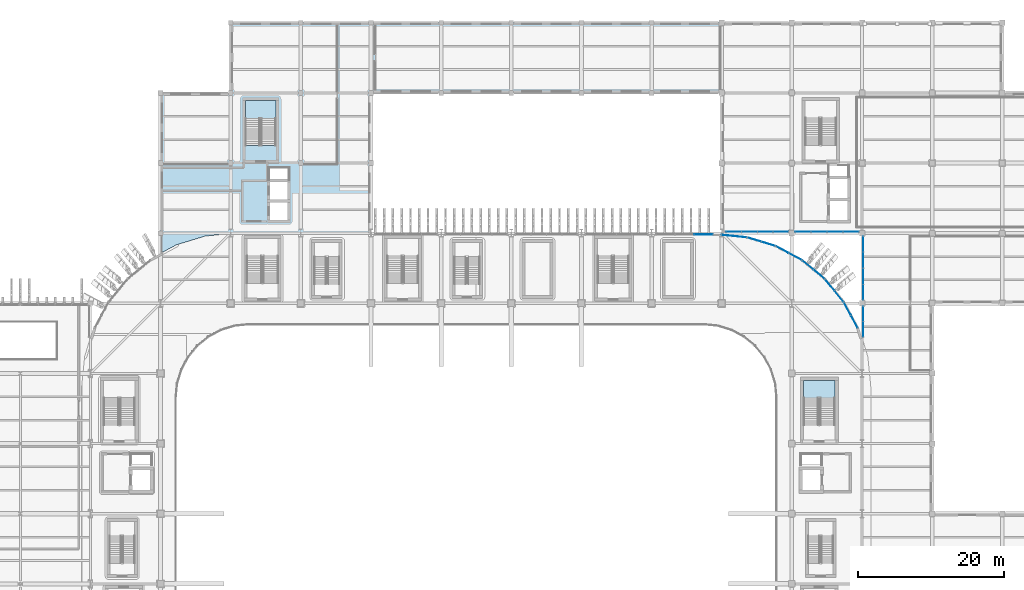
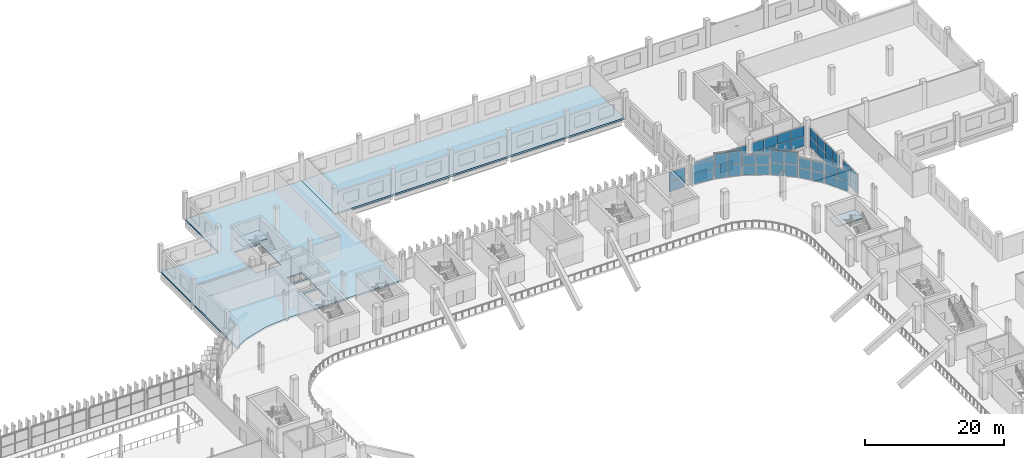
# One storey, part 44 of 100: 52 plates, 4 slabs, 13 elements without a shape of their own.
"""IFC4 building model written with IfcOpenShell, lengths in metres."""

from ifc_helpers import new_model, si_unit, direction, frame, origin, origin_2d, place, context, subcontext, project, spatial, polyline, rectangle, outline, extrude, material, layer, layer_set, type_object, element, aggregate, save


model = new_model("IFC4")

# Units and contexts
model_context = context("Model", 3, precision=1e-05, world=origin(), true_north=direction((0.0, 1.0)))
body_context = subcontext(model_context, "Body", "Model", "MODEL_VIEW")
ifc_project = project(units=[si_unit("LENGTHUNIT", "METRE"), si_unit("AREAUNIT", "SQUARE_METRE"), si_unit("VOLUMEUNIT", "CUBIC_METRE"), si_unit("PLANEANGLEUNIT", "RADIAN"), si_unit("MASSUNIT", "GRAM", prefix="KILO")], contexts=[model_context])

# Site, building, storey
site_placement = place(None, origin())
site = spatial("IfcSite", under=ifc_project, at=site_placement, CompositionType="ELEMENT")
building_placement = place(site_placement, origin())
building = spatial("IfcBuilding", under=site, at=building_placement, Name="Caelomonte Colonnade Arena", CompositionType="ELEMENT")
storey_placement = place(building_placement, origin())
storey = spatial("IfcBuildingStorey", under=building, at=storey_placement, Name="L00", CompositionType="ELEMENT", Elevation=0.0)

# Curtain wall, plates
ifc_material_1 = material(Name="Bronze anodised aluminium and low-E glazing", Category="aluminium")
ifc_layer_1 = layer(ifc_material_1, 0.179931640625)
ifc_layer_set_1 = layer_set([ifc_layer_1], Name="Bronze anodised aluminium and low-E glazing")
curtain_wall_type_1 = type_object("IfcCurtainWallType", Name="ENV-CW-CW-L00-92-36", PredefinedType="USERDEFINED", material=ifc_layer_set_1)
curtain_wall_1_placement = place(storey_placement, origin())
curtain_wall_1 = element("IfcCurtainWall", 1, at=curtain_wall_1_placement, inside=storey, type_object=curtain_wall_type_1, Name="L00 unitized curtain wall CW-L00-1486-1154", ObjectType="UNITIZED CURTAIN WALL", PredefinedType="USERDEFINED")
ifc_material_2 = material(Name="Solar-control bronze low-E double glazing", Category="glass")
ifc_layer_2 = layer(ifc_material_2, 0.028076171875)
ifc_layer_set_2 = layer_set([ifc_layer_2], Name="Solar-control bronze low-E double glazing")
plate_type = type_object("IfcPlateType", Name="ENV-CW-PAN28", PredefinedType="CURTAIN_PANEL", material=ifc_layer_set_2)
plate_1_placement = place(storey_placement, frame((145.641357421875, 115.3798828125, 0.06982421875), z_axis=(0.0, 0.0, 1.0), x_axis=(1.0, 0.0, 0.0)))
plate_1 = element("IfcPlate", 2, at=plate_1_placement, type_object=plate_type, Name="CW-L00-92-36 panel 1.1", PredefinedType="CURTAIN_PANEL", context=body_context, shape_type="SweptSolid", body=[
    extrude(rectangle(XDim=2.06103515625, YDim=0.028076171875, at=origin_2d()), origin(), (0.0, 0.0, 1.0), 1.681396484375),
])
plate_2_placement = place(storey_placement, frame((145.641357421875, 115.3798828125, 1.82177734375), z_axis=(0.0, 0.0, 1.0), x_axis=(1.0, 0.0, 0.0)))
plate_2 = element("IfcPlate", 3, at=plate_2_placement, type_object=plate_type, Name="CW-L00-92-36 panel 1.2", PredefinedType="CURTAIN_PANEL", context=body_context, shape_type="SweptSolid", body=[
    extrude(rectangle(XDim=2.06103515625, YDim=0.028076171875, at=origin_2d()), origin(), (0.0, 0.0, 1.0), 1.681396484375),
])
plate_3_placement = place(storey_placement, frame((147.789794921875, 115.3798828125, 0.06982421875), z_axis=(0.0, 0.0, 1.0), x_axis=(1.0, 0.0, 0.0)))
plate_3 = element("IfcPlate", 4, at=plate_3_placement, type_object=plate_type, Name="CW-L00-92-36 panel 2.1", PredefinedType="CURTAIN_PANEL", context=body_context, shape_type="SweptSolid", body=[
    extrude(rectangle(XDim=2.09619140625, YDim=0.028076171875, at=origin_2d()), origin(), (0.0, 0.0, 1.0), 1.681396484375),
])
plate_4_placement = place(storey_placement, frame((147.789794921875, 115.3798828125, 1.82177734375), z_axis=(0.0, 0.0, 1.0), x_axis=(1.0, 0.0, 0.0)))
plate_4 = element("IfcPlate", 5, at=plate_4_placement, type_object=plate_type, Name="CW-L00-92-36 panel 2.2", PredefinedType="CURTAIN_PANEL", context=body_context, shape_type="SweptSolid", body=[
    extrude(rectangle(XDim=2.09619140625, YDim=0.028076171875, at=origin_2d()), origin(), (0.0, 0.0, 1.0), 1.681396484375),
])
plate_5_placement = place(storey_placement, frame((149.955810546875, 115.3798828125, 0.06982421875), z_axis=(0.0, 0.0, 1.0), x_axis=(1.0, 0.0, 0.0)))
plate_5 = element("IfcPlate", 6, at=plate_5_placement, type_object=plate_type, Name="CW-L00-92-36 panel 3.1", PredefinedType="CURTAIN_PANEL", context=body_context, shape_type="SweptSolid", body=[
    extrude(rectangle(XDim=2.09619140625, YDim=0.028076171875, at=origin_2d()), origin(), (0.0, 0.0, 1.0), 1.681396484375),
])
plate_6_placement = place(storey_placement, frame((149.955810546875, 115.3798828125, 1.82177734375), z_axis=(0.0, 0.0, 1.0), x_axis=(1.0, 0.0, 0.0)))
plate_6 = element("IfcPlate", 7, at=plate_6_placement, type_object=plate_type, Name="CW-L00-92-36 panel 3.2", PredefinedType="CURTAIN_PANEL", context=body_context, shape_type="SweptSolid", body=[
    extrude(rectangle(XDim=2.09619140625, YDim=0.028076171875, at=origin_2d()), origin(), (0.0, 0.0, 1.0), 1.681396484375),
])
plate_7_placement = place(storey_placement, frame((152.1044921875, 115.3798828125, 0.06982421875), z_axis=(0.0, 0.0, 1.0), x_axis=(1.0, 0.0, 0.0)))
plate_7 = element("IfcPlate", 8, at=plate_7_placement, type_object=plate_type, Name="CW-L00-92-36 panel 4.1", PredefinedType="CURTAIN_PANEL", context=body_context, shape_type="SweptSolid", body=[
    extrude(rectangle(XDim=2.06103515625, YDim=0.028076171875, at=origin_2d()), origin(), (0.0, 0.0, 1.0), 1.681396484375),
])
plate_8_placement = place(storey_placement, frame((152.1044921875, 115.3798828125, 1.82177734375), z_axis=(0.0, 0.0, 1.0), x_axis=(1.0, 0.0, 0.0)))
plate_8 = element("IfcPlate", 9, at=plate_8_placement, type_object=plate_type, Name="CW-L00-92-36 panel 4.2", PredefinedType="CURTAIN_PANEL", context=body_context, shape_type="SweptSolid", body=[
    extrude(rectangle(XDim=2.06103515625, YDim=0.028076171875, at=origin_2d()), origin(), (0.0, 0.0, 1.0), 1.681396484375),
])
aggregate(curtain_wall_1, [plate_1, plate_2, plate_3, plate_4, plate_5, plate_6, plate_7, plate_8])

ifc_layer_3 = layer(ifc_material_1, 0.179931640625)
ifc_layer_set_3 = layer_set([ifc_layer_3], Name="Bronze anodised aluminium and low-E glazing")
curtain_wall_type_2 = type_object("IfcCurtainWallType", Name="ENV-CW-CW-L00-89-36", PredefinedType="USERDEFINED", material=ifc_layer_set_3)
curtain_wall_2_placement = place(storey_placement, origin())
curtain_wall_2 = element("IfcCurtainWall", 10, at=curtain_wall_2_placement, inside=storey, type_object=curtain_wall_type_2, Name="L00 unitized curtain wall CW-L00-1584-1154", ObjectType="UNITIZED CURTAIN WALL", PredefinedType="USERDEFINED")
plate_9_placement = place(storey_placement, frame((155.11376953125, 115.3798828125, 0.06982421875), z_axis=(0.0, 0.0, 1.0), x_axis=(1.0, 0.0, 0.0)))
plate_9 = element("IfcPlate", 11, at=plate_9_placement, type_object=plate_type, Name="CW-L00-89-36 panel 1.1", PredefinedType="CURTAIN_PANEL", context=body_context, shape_type="SweptSolid", body=[
    extrude(rectangle(XDim=2.097412109375, YDim=0.028076171875, at=origin_2d()), origin(), (0.0, 0.0, 1.0), 1.681396484375),
])
plate_10_placement = place(storey_placement, frame((155.11376953125, 115.3798828125, 1.82177734375), z_axis=(0.0, 0.0, 1.0), x_axis=(1.0, 0.0, 0.0)))
plate_10 = element("IfcPlate", 12, at=plate_10_placement, type_object=plate_type, Name="CW-L00-89-36 panel 1.2", PredefinedType="CURTAIN_PANEL", context=body_context, shape_type="SweptSolid", body=[
    extrude(rectangle(XDim=2.097412109375, YDim=0.028076171875, at=origin_2d()), origin(), (0.0, 0.0, 1.0), 1.681396484375),
])
plate_11_placement = place(storey_placement, frame((157.298828125, 115.3798828125, 0.06982421875), z_axis=(0.0, 0.0, 1.0), x_axis=(1.0, 0.0, 0.0)))
plate_11 = element("IfcPlate", 13, at=plate_11_placement, type_object=plate_type, Name="CW-L00-89-36 panel 2.1", PredefinedType="CURTAIN_PANEL", context=body_context, shape_type="SweptSolid", body=[
    extrude(rectangle(XDim=2.132568359375, YDim=0.028076171875, at=origin_2d()), origin(), (0.0, 0.0, 1.0), 1.681396484375),
])
plate_12_placement = place(storey_placement, frame((157.298828125, 115.3798828125, 1.82177734375), z_axis=(0.0, 0.0, 1.0), x_axis=(1.0, 0.0, 0.0)))
plate_12 = element("IfcPlate", 14, at=plate_12_placement, type_object=plate_type, Name="CW-L00-89-36 panel 2.2", PredefinedType="CURTAIN_PANEL", context=body_context, shape_type="SweptSolid", body=[
    extrude(rectangle(XDim=2.132568359375, YDim=0.028076171875, at=origin_2d()), origin(), (0.0, 0.0, 1.0), 1.681396484375),
])
plate_13_placement = place(storey_placement, frame((159.501220703125, 115.3798828125, 0.06982421875), z_axis=(0.0, 0.0, 1.0), x_axis=(1.0, 0.0, 0.0)))
plate_13 = element("IfcPlate", 15, at=plate_13_placement, type_object=plate_type, Name="CW-L00-89-36 panel 3.1", PredefinedType="CURTAIN_PANEL", context=body_context, shape_type="SweptSolid", body=[
    extrude(rectangle(XDim=2.132568359375, YDim=0.028076171875, at=origin_2d()), origin(), (0.0, 0.0, 1.0), 1.681396484375),
])
plate_14_placement = place(storey_placement, frame((159.501220703125, 115.3798828125, 1.82177734375), z_axis=(0.0, 0.0, 1.0), x_axis=(1.0, 0.0, 0.0)))
plate_14 = element("IfcPlate", 16, at=plate_14_placement, type_object=plate_type, Name="CW-L00-89-36 panel 3.2", PredefinedType="CURTAIN_PANEL", context=body_context, shape_type="SweptSolid", body=[
    extrude(rectangle(XDim=2.132568359375, YDim=0.028076171875, at=origin_2d()), origin(), (0.0, 0.0, 1.0), 1.681396484375),
])
plate_15_placement = place(storey_placement, frame((161.686279296875, 115.3798828125, 0.06982421875), z_axis=(0.0, 0.0, 1.0), x_axis=(1.0, 0.0, 0.0)))
plate_15 = element("IfcPlate", 17, at=plate_15_placement, type_object=plate_type, Name="CW-L00-89-36 panel 4.1", PredefinedType="CURTAIN_PANEL", context=body_context, shape_type="SweptSolid", body=[
    extrude(rectangle(XDim=2.097412109375, YDim=0.028076171875, at=origin_2d()), origin(), (0.0, 0.0, 1.0), 1.681396484375),
])
plate_16_placement = place(storey_placement, frame((161.686279296875, 115.3798828125, 1.82177734375), z_axis=(0.0, 0.0, 1.0), x_axis=(1.0, 0.0, 0.0)))
plate_16 = element("IfcPlate", 18, at=plate_16_placement, type_object=plate_type, Name="CW-L00-89-36 panel 4.2", PredefinedType="CURTAIN_PANEL", context=body_context, shape_type="SweptSolid", body=[
    extrude(rectangle(XDim=2.097412109375, YDim=0.028076171875, at=origin_2d()), origin(), (0.0, 0.0, 1.0), 1.681396484375),
])
aggregate(curtain_wall_2, [plate_9, plate_10, plate_11, plate_12, plate_13, plate_14, plate_15, plate_16])

curtain_wall_3_placement = place(storey_placement, origin())
curtain_wall_3 = element("IfcCurtainWall", 19, at=curtain_wall_3_placement, inside=storey, type_object=curtain_wall_type_2, Name="L00 unitized curtain wall CW-L00-1634-1104", ObjectType="UNITIZED CURTAIN WALL", PredefinedType="USERDEFINED")
plate_17_placement = place(storey_placement, frame((163.3798828125, 113.686279296875, 0.06982421875), z_axis=(0.0, 0.0, 1.0), x_axis=(0.0, -1.0, 0.0)))
plate_17 = element("IfcPlate", 20, at=plate_17_placement, type_object=plate_type, Name="CW-L00-89-36 panel 1.1", PredefinedType="CURTAIN_PANEL", context=body_context, shape_type="SweptSolid", body=[
    extrude(rectangle(XDim=2.097412109375, YDim=0.028076171875, at=origin_2d()), origin(), (0.0, 0.0, 1.0), 1.681396484375),
])
plate_18_placement = place(storey_placement, frame((163.3798828125, 113.686279296875, 1.82177734375), z_axis=(0.0, 0.0, 1.0), x_axis=(0.0, -1.0, 0.0)))
plate_18 = element("IfcPlate", 21, at=plate_18_placement, type_object=plate_type, Name="CW-L00-89-36 panel 1.2", PredefinedType="CURTAIN_PANEL", context=body_context, shape_type="SweptSolid", body=[
    extrude(rectangle(XDim=2.097412109375, YDim=0.028076171875, at=origin_2d()), origin(), (0.0, 0.0, 1.0), 1.681396484375),
])
plate_19_placement = place(storey_placement, frame((163.3798828125, 111.501220703125, 0.06982421875), z_axis=(0.0, 0.0, 1.0), x_axis=(0.0, -1.0, 0.0)))
plate_19 = element("IfcPlate", 22, at=plate_19_placement, type_object=plate_type, Name="CW-L00-89-36 panel 2.1", PredefinedType="CURTAIN_PANEL", context=body_context, shape_type="SweptSolid", body=[
    extrude(rectangle(XDim=2.132568359375, YDim=0.028076171875, at=origin_2d()), origin(), (0.0, 0.0, 1.0), 1.681396484375),
])
plate_20_placement = place(storey_placement, frame((163.3798828125, 111.501220703125, 1.82177734375), z_axis=(0.0, 0.0, 1.0), x_axis=(0.0, -1.0, 0.0)))
plate_20 = element("IfcPlate", 23, at=plate_20_placement, type_object=plate_type, Name="CW-L00-89-36 panel 2.2", PredefinedType="CURTAIN_PANEL", context=body_context, shape_type="SweptSolid", body=[
    extrude(rectangle(XDim=2.132568359375, YDim=0.028076171875, at=origin_2d()), origin(), (0.0, 0.0, 1.0), 1.681396484375),
])
plate_21_placement = place(storey_placement, frame((163.3798828125, 109.298828125, 0.06982421875), z_axis=(0.0, 0.0, 1.0), x_axis=(0.0, -1.0, 0.0)))
plate_21 = element("IfcPlate", 24, at=plate_21_placement, type_object=plate_type, Name="CW-L00-89-36 panel 3.1", PredefinedType="CURTAIN_PANEL", context=body_context, shape_type="SweptSolid", body=[
    extrude(rectangle(XDim=2.132568359375, YDim=0.028076171875, at=origin_2d()), origin(), (0.0, 0.0, 1.0), 1.681396484375),
])
plate_22_placement = place(storey_placement, frame((163.3798828125, 109.298828125, 1.82177734375), z_axis=(0.0, 0.0, 1.0), x_axis=(0.0, -1.0, 0.0)))
plate_22 = element("IfcPlate", 25, at=plate_22_placement, type_object=plate_type, Name="CW-L00-89-36 panel 3.2", PredefinedType="CURTAIN_PANEL", context=body_context, shape_type="SweptSolid", body=[
    extrude(rectangle(XDim=2.132568359375, YDim=0.028076171875, at=origin_2d()), origin(), (0.0, 0.0, 1.0), 1.681396484375),
])
plate_23_placement = place(storey_placement, frame((163.3798828125, 107.11376953125, 0.06982421875), z_axis=(0.0, 0.0, 1.0), x_axis=(0.0, -1.0, 0.0)))
plate_23 = element("IfcPlate", 26, at=plate_23_placement, type_object=plate_type, Name="CW-L00-89-36 panel 4.1", PredefinedType="CURTAIN_PANEL", context=body_context, shape_type="SweptSolid", body=[
    extrude(rectangle(XDim=2.097412109375, YDim=0.028076171875, at=origin_2d()), origin(), (0.0, 0.0, 1.0), 1.681396484375),
])
plate_24_placement = place(storey_placement, frame((163.3798828125, 107.11376953125, 1.82177734375), z_axis=(0.0, 0.0, 1.0), x_axis=(0.0, -1.0, 0.0)))
plate_24 = element("IfcPlate", 27, at=plate_24_placement, type_object=plate_type, Name="CW-L00-89-36 panel 4.2", PredefinedType="CURTAIN_PANEL", context=body_context, shape_type="SweptSolid", body=[
    extrude(rectangle(XDim=2.097412109375, YDim=0.028076171875, at=origin_2d()), origin(), (0.0, 0.0, 1.0), 1.681396484375),
])
aggregate(curtain_wall_3, [plate_17, plate_18, plate_19, plate_20, plate_21, plate_22, plate_23, plate_24])

ifc_layer_4 = layer(ifc_material_1, 0.179931640625)
ifc_layer_set_4 = layer_set([ifc_layer_4], Name="Bronze anodised aluminium and low-E glazing")
curtain_wall_type_3 = type_object("IfcCurtainWallType", Name="ENV-CW-CW-L00-44-36", PredefinedType="USERDEFINED", material=ifc_layer_set_4)
curtain_wall_4_placement = place(storey_placement, origin())
curtain_wall_4 = element("IfcCurtainWall", 28, at=curtain_wall_4_placement, inside=storey, type_object=curtain_wall_type_3, Name="L00 unitized curtain wall CW-L00-1634-1030", ObjectType="UNITIZED CURTAIN WALL", PredefinedType="USERDEFINED")
plate_25_placement = place(storey_placement, frame((163.3798828125, 104.12744140625, 0.06982421875), z_axis=(0.0, 0.0, 1.0), x_axis=(0.0, -1.0, 0.0)))
plate_25 = element("IfcPlate", 29, at=plate_25_placement, type_object=plate_type, Name="CW-L00-44-36 panel 1.1", PredefinedType="CURTAIN_PANEL", context=body_context, shape_type="SweptSolid", body=[
    extrude(rectangle(XDim=2.01513671875, YDim=0.028076171875, at=origin_2d()), origin(), (0.0, 0.0, 1.0), 1.681396484375),
])
plate_26_placement = place(storey_placement, frame((163.3798828125, 104.12744140625, 1.82177734375), z_axis=(0.0, 0.0, 1.0), x_axis=(0.0, -1.0, 0.0)))
plate_26 = element("IfcPlate", 30, at=plate_26_placement, type_object=plate_type, Name="CW-L00-44-36 panel 1.2", PredefinedType="CURTAIN_PANEL", context=body_context, shape_type="SweptSolid", body=[
    extrude(rectangle(XDim=2.01513671875, YDim=0.028076171875, at=origin_2d()), origin(), (0.0, 0.0, 1.0), 1.681396484375),
])
plate_27_placement = place(storey_placement, frame((163.3798828125, 102.042236328125, 0.06982421875), z_axis=(0.0, 0.0, 1.0), x_axis=(0.0, -1.0, 0.0)))
plate_27 = element("IfcPlate", 31, at=plate_27_placement, type_object=plate_type, Name="CW-L00-44-36 panel 2.1", PredefinedType="CURTAIN_PANEL", context=body_context, shape_type="SweptSolid", body=[
    extrude(rectangle(XDim=2.01513671875, YDim=0.028076171875, at=origin_2d()), origin(), (0.0, 0.0, 1.0), 1.681396484375),
])
plate_28_placement = place(storey_placement, frame((163.3798828125, 102.042236328125, 1.82177734375), z_axis=(0.0, 0.0, 1.0), x_axis=(0.0, -1.0, 0.0)))
plate_28 = element("IfcPlate", 32, at=plate_28_placement, type_object=plate_type, Name="CW-L00-44-36 panel 2.2", PredefinedType="CURTAIN_PANEL", context=body_context, shape_type="SweptSolid", body=[
    extrude(rectangle(XDim=2.01513671875, YDim=0.028076171875, at=origin_2d()), origin(), (0.0, 0.0, 1.0), 1.681396484375),
])
aggregate(curtain_wall_4, [plate_25, plate_26, plate_27, plate_28])

ifc_layer_5 = layer(ifc_material_1, 0.179931640625)
ifc_layer_set_5 = layer_set([ifc_layer_5], Name="Bronze anodised aluminium and low-E glazing")
curtain_wall_type_4 = type_object("IfcCurtainWallType", Name="ENV-CW-CW-L00-44-37", PredefinedType="USERDEFINED", material=ifc_layer_set_5)
curtain_wall_5_placement = place(storey_placement, origin())
curtain_wall_5 = element("IfcCurtainWall", 33, at=curtain_wall_5_placement, inside=storey, type_object=curtain_wall_type_4, Name="L00 unitized curtain wall CW-L00-1617-1040", ObjectType="UNITIZED CURTAIN WALL", PredefinedType="USERDEFINED")
plate_29_placement = place(storey_placement, frame((162.139892578125, 103.09228515625, 0.06982421875), z_axis=(0.0, 0.0, 1.0), x_axis=(-0.471394212466, 0.881922613642, 0.0)))
plate_29 = element("IfcPlate", 34, at=plate_29_placement, type_object=plate_type, Name="CW-L00-44-37 panel 1.1", PredefinedType="CURTAIN_PANEL", context=body_context, shape_type="SweptSolid", body=[
    extrude(rectangle(XDim=1.913330078125, YDim=0.028076171875, at=origin_2d()), origin(), (0.0, 0.0, 1.0), 1.727294921875),
])
plate_30_placement = place(storey_placement, frame((162.139892578125, 103.09228515625, 1.8671875), z_axis=(0.0, 0.0, 1.0), x_axis=(-0.471394212466, 0.881922613642, 0.0)))
plate_30 = element("IfcPlate", 35, at=plate_30_placement, type_object=plate_type, Name="CW-L00-44-37 panel 1.2", PredefinedType="CURTAIN_PANEL", context=body_context, shape_type="SweptSolid", body=[
    extrude(rectangle(XDim=1.913330078125, YDim=0.028076171875, at=origin_2d()), origin(), (0.0, 0.0, 1.0), 1.727294921875),
])
plate_31_placement = place(storey_placement, frame((161.205078125, 104.841552734375, 0.06982421875), z_axis=(0.0, 0.0, 1.0), x_axis=(-0.471394212466, 0.881922613642, 0.0)))
plate_31 = element("IfcPlate", 36, at=plate_31_placement, type_object=plate_type, Name="CW-L00-44-37 panel 2.1", PredefinedType="CURTAIN_PANEL", context=body_context, shape_type="SweptSolid", body=[
    extrude(rectangle(XDim=1.913330078125, YDim=0.028076171875, at=origin_2d()), origin(), (0.0, 0.0, 1.0), 1.727294921875),
])
plate_32_placement = place(storey_placement, frame((161.205078125, 104.841552734375, 1.8671875), z_axis=(0.0, 0.0, 1.0), x_axis=(-0.471394212466, 0.881922613642, 0.0)))
plate_32 = element("IfcPlate", 37, at=plate_32_placement, type_object=plate_type, Name="CW-L00-44-37 panel 2.2", PredefinedType="CURTAIN_PANEL", context=body_context, shape_type="SweptSolid", body=[
    extrude(rectangle(XDim=1.913330078125, YDim=0.028076171875, at=origin_2d()), origin(), (0.0, 0.0, 1.0), 1.727294921875),
])
aggregate(curtain_wall_5, [plate_29, plate_30, plate_31, plate_32])

curtain_wall_6_placement = place(storey_placement, origin())
curtain_wall_6 = element("IfcCurtainWall", 38, at=curtain_wall_6_placement, inside=storey, type_object=curtain_wall_type_4, Name="L00 unitized curtain wall CW-L00-1594-1073", ObjectType="UNITIZED CURTAIN WALL", PredefinedType="USERDEFINED")
plate_33_placement = place(storey_placement, frame((160.045166015625, 106.577392578125, 0.06982421875), z_axis=(0.0, 0.0, 1.0), x_axis=(-0.634416071163, 0.772991751994, 0.0)))
plate_33 = element("IfcPlate", 39, at=plate_33_placement, type_object=plate_type, Name="CW-L00-44-37 panel 1.1", PredefinedType="CURTAIN_PANEL", context=body_context, shape_type="SweptSolid", body=[
    extrude(rectangle(XDim=1.913330078125, YDim=0.028076171875, at=origin_2d()), origin(), (0.0, 0.0, 1.0), 1.727294921875),
])
plate_34_placement = place(storey_placement, frame((160.045166015625, 106.577392578125, 1.8671875), z_axis=(0.0, 0.0, 1.0), x_axis=(-0.634416071163, 0.772991751994, 0.0)))
plate_34 = element("IfcPlate", 40, at=plate_34_placement, type_object=plate_type, Name="CW-L00-44-37 panel 1.2", PredefinedType="CURTAIN_PANEL", context=body_context, shape_type="SweptSolid", body=[
    extrude(rectangle(XDim=1.913330078125, YDim=0.028076171875, at=origin_2d()), origin(), (0.0, 0.0, 1.0), 1.727294921875),
])
plate_35_placement = place(storey_placement, frame((158.786865234375, 108.1103515625, 0.06982421875), z_axis=(0.0, 0.0, 1.0), x_axis=(-0.634416071163, 0.772991751994, 0.0)))
plate_35 = element("IfcPlate", 41, at=plate_35_placement, type_object=plate_type, Name="CW-L00-44-37 panel 2.1", PredefinedType="CURTAIN_PANEL", context=body_context, shape_type="SweptSolid", body=[
    extrude(rectangle(XDim=1.913330078125, YDim=0.028076171875, at=origin_2d()), origin(), (0.0, 0.0, 1.0), 1.727294921875),
])
plate_36_placement = place(storey_placement, frame((158.786865234375, 108.1103515625, 1.8671875), z_axis=(0.0, 0.0, 1.0), x_axis=(-0.634416071163, 0.772991751994, 0.0)))
plate_36 = element("IfcPlate", 42, at=plate_36_placement, type_object=plate_type, Name="CW-L00-44-37 panel 2.2", PredefinedType="CURTAIN_PANEL", context=body_context, shape_type="SweptSolid", body=[
    extrude(rectangle(XDim=1.913330078125, YDim=0.028076171875, at=origin_2d()), origin(), (0.0, 0.0, 1.0), 1.727294921875),
])
aggregate(curtain_wall_6, [plate_33, plate_34, plate_35, plate_36])

ifc_layer_6 = layer(ifc_material_1, 0.179931640625)
ifc_layer_set_6 = layer_set([ifc_layer_6], Name="Bronze anodised aluminium and low-E glazing")
curtain_wall_type_5 = type_object("IfcCurtainWallType", Name="ENV-CW-CW-L00-44-45", PredefinedType="USERDEFINED", material=ifc_layer_set_6)
curtain_wall_7_placement = place(storey_placement, origin())
curtain_wall_7 = element("IfcCurtainWall", 43, at=curtain_wall_7_placement, inside=storey, type_object=curtain_wall_type_5, Name="L00 unitized curtain wall CW-L00-1565-1102", ObjectType="UNITIZED CURTAIN WALL", PredefinedType="USERDEFINED")
plate_37_placement = place(storey_placement, frame((157.310546875, 109.586669921875, 0.070068359375), z_axis=(0.0, 0.0, 1.0), x_axis=(-0.772991751994, 0.634416071163, 0.0)))
plate_37 = element("IfcPlate", 44, at=plate_37_placement, type_object=plate_type, Name="CW-L00-44-45 panel 1.1", PredefinedType="CURTAIN_PANEL", context=body_context, shape_type="SweptSolid", body=[
    extrude(rectangle(XDim=1.913330078125, YDim=0.028076171875, at=origin_2d()), origin(), (0.0, 0.0, 1.0), 2.14501953125),
])
plate_38_placement = place(storey_placement, frame((157.310546875, 109.586669921875, 2.284912109375), z_axis=(0.0, 0.0, 1.0), x_axis=(-0.772991751994, 0.634416071163, 0.0)))
plate_38 = element("IfcPlate", 45, at=plate_38_placement, type_object=plate_type, Name="CW-L00-44-45 panel 1.2", PredefinedType="CURTAIN_PANEL", context=body_context, shape_type="SweptSolid", body=[
    extrude(rectangle(XDim=1.913330078125, YDim=0.028076171875, at=origin_2d()), origin(), (0.0, 0.0, 1.0), 2.14501953125),
])
plate_39_placement = place(storey_placement, frame((155.77734375, 110.844970703125, 0.070068359375), z_axis=(0.0, 0.0, 1.0), x_axis=(-0.772991751994, 0.634416071163, 0.0)))
plate_39 = element("IfcPlate", 46, at=plate_39_placement, type_object=plate_type, Name="CW-L00-44-45 panel 2.1", PredefinedType="CURTAIN_PANEL", context=body_context, shape_type="SweptSolid", body=[
    extrude(rectangle(XDim=1.913330078125, YDim=0.028076171875, at=origin_2d()), origin(), (0.0, 0.0, 1.0), 2.14501953125),
])
plate_40_placement = place(storey_placement, frame((155.77734375, 110.844970703125, 2.284912109375), z_axis=(0.0, 0.0, 1.0), x_axis=(-0.772991751994, 0.634416071163, 0.0)))
plate_40 = element("IfcPlate", 47, at=plate_40_placement, type_object=plate_type, Name="CW-L00-44-45 panel 2.2", PredefinedType="CURTAIN_PANEL", context=body_context, shape_type="SweptSolid", body=[
    extrude(rectangle(XDim=1.913330078125, YDim=0.028076171875, at=origin_2d()), origin(), (0.0, 0.0, 1.0), 2.14501953125),
])
aggregate(curtain_wall_7, [plate_37, plate_38, plate_39, plate_40])

curtain_wall_8_placement = place(storey_placement, origin())
curtain_wall_8 = element("IfcCurtainWall", 48, at=curtain_wall_8_placement, inside=storey, type_object=curtain_wall_type_4, Name="L00 unitized curtain wall CW-L00-1532-1125", ObjectType="UNITIZED CURTAIN WALL", PredefinedType="USERDEFINED")
plate_41_placement = place(storey_placement, frame((154.04150390625, 112.0048828125, 0.06982421875), z_axis=(0.0, 0.0, 1.0), x_axis=(-0.881922613642, 0.471394212466, 0.0)))
plate_41 = element("IfcPlate", 49, at=plate_41_placement, type_object=plate_type, Name="CW-L00-44-37 panel 1.1", PredefinedType="CURTAIN_PANEL", context=body_context, shape_type="SweptSolid", body=[
    extrude(rectangle(XDim=1.913330078125, YDim=0.028076171875, at=origin_2d()), origin(), (0.0, 0.0, 1.0), 1.7451171875),
])
plate_42_placement = place(storey_placement, frame((154.04150390625, 112.0048828125, 1.885009765625), z_axis=(0.0, 0.0, 1.0), x_axis=(-0.881922613642, 0.471394212466, 0.0)))
plate_42 = element("IfcPlate", 50, at=plate_42_placement, type_object=plate_type, Name="CW-L00-44-37 panel 1.2", PredefinedType="CURTAIN_PANEL", context=body_context, shape_type="SweptSolid", body=[
    extrude(rectangle(XDim=1.913330078125, YDim=0.028076171875, at=origin_2d()), origin(), (0.0, 0.0, 1.0), 1.7451171875),
])
plate_43_placement = place(storey_placement, frame((152.292236328125, 112.93994140625, 0.06982421875), z_axis=(0.0, 0.0, 1.0), x_axis=(-0.881922613642, 0.471394212466, 0.0)))
plate_43 = element("IfcPlate", 51, at=plate_43_placement, type_object=plate_type, Name="CW-L00-44-37 panel 2.1", PredefinedType="CURTAIN_PANEL", context=body_context, shape_type="SweptSolid", body=[
    extrude(rectangle(XDim=1.913330078125, YDim=0.028076171875, at=origin_2d()), origin(), (0.0, 0.0, 1.0), 1.7451171875),
])
plate_44_placement = place(storey_placement, frame((152.292236328125, 112.93994140625, 1.885009765625), z_axis=(0.0, 0.0, 1.0), x_axis=(-0.881922613642, 0.471394212466, 0.0)))
plate_44 = element("IfcPlate", 52, at=plate_44_placement, type_object=plate_type, Name="CW-L00-44-37 panel 2.2", PredefinedType="CURTAIN_PANEL", context=body_context, shape_type="SweptSolid", body=[
    extrude(rectangle(XDim=1.913330078125, YDim=0.028076171875, at=origin_2d()), origin(), (0.0, 0.0, 1.0), 1.7451171875),
])
aggregate(curtain_wall_8, [plate_41, plate_42, plate_43, plate_44])

curtain_wall_9_placement = place(storey_placement, origin())
curtain_wall_9 = element("IfcCurtainWall", 53, at=curtain_wall_9_placement, inside=storey, type_object=curtain_wall_type_5, Name="L00 unitized curtain wall CW-L00-1494-1140", ObjectType="UNITIZED CURTAIN WALL", PredefinedType="USERDEFINED")
plate_45_placement = place(storey_placement, frame((150.36328125, 113.739013671875, 0.070068359375), z_axis=(0.0, 0.0, 1.0), x_axis=(-0.956949160999, 0.290255582655, 0.0)))
plate_45 = element("IfcPlate", 54, at=plate_45_placement, type_object=plate_type, Name="CW-L00-44-45 panel 1.1", PredefinedType="CURTAIN_PANEL", context=body_context, shape_type="SweptSolid", body=[
    extrude(rectangle(XDim=1.913330078125, YDim=0.028076171875, at=origin_2d()), origin(), (0.0, 0.0, 1.0), 2.14501953125),
])
plate_46_placement = place(storey_placement, frame((150.36328125, 113.739013671875, 2.284912109375), z_axis=(0.0, 0.0, 1.0), x_axis=(-0.956949160999, 0.290255582655, 0.0)))
plate_46 = element("IfcPlate", 55, at=plate_46_placement, type_object=plate_type, Name="CW-L00-44-45 panel 1.2", PredefinedType="CURTAIN_PANEL", context=body_context, shape_type="SweptSolid", body=[
    extrude(rectangle(XDim=1.913330078125, YDim=0.028076171875, at=origin_2d()), origin(), (0.0, 0.0, 1.0), 2.14501953125),
])
plate_47_placement = place(storey_placement, frame((148.46533203125, 114.314697265625, 0.070068359375), z_axis=(0.0, 0.0, 1.0), x_axis=(-0.956949160999, 0.290255582655, 0.0)))
plate_47 = element("IfcPlate", 56, at=plate_47_placement, type_object=plate_type, Name="CW-L00-44-45 panel 2.1", PredefinedType="CURTAIN_PANEL", context=body_context, shape_type="SweptSolid", body=[
    extrude(rectangle(XDim=1.913330078125, YDim=0.028076171875, at=origin_2d()), origin(), (0.0, 0.0, 1.0), 2.14501953125),
])
plate_48_placement = place(storey_placement, frame((148.46533203125, 114.314697265625, 2.284912109375), z_axis=(0.0, 0.0, 1.0), x_axis=(-0.956949160999, 0.290255582655, 0.0)))
plate_48 = element("IfcPlate", 57, at=plate_48_placement, type_object=plate_type, Name="CW-L00-44-45 panel 2.2", PredefinedType="CURTAIN_PANEL", context=body_context, shape_type="SweptSolid", body=[
    extrude(rectangle(XDim=1.913330078125, YDim=0.028076171875, at=origin_2d()), origin(), (0.0, 0.0, 1.0), 2.14501953125),
])
aggregate(curtain_wall_9, [plate_45, plate_46, plate_47, plate_48])

ifc_layer_7 = layer(ifc_material_1, 0.179931640625)
ifc_layer_set_7 = layer_set([ifc_layer_7], Name="Bronze anodised aluminium and low-E glazing")
curtain_wall_type_6 = type_object("IfcCurtainWallType", Name="ENV-CW-CW-L00-42-36", PredefinedType="USERDEFINED", material=ifc_layer_set_7)
curtain_wall_10_placement = place(storey_placement, origin())
curtain_wall_10 = element("IfcCurtainWall", 58, at=curtain_wall_10_placement, inside=storey, type_object=curtain_wall_type_6, Name="L00 unitized curtain wall CW-L00-1455-1148", ObjectType="UNITIZED CURTAIN WALL", PredefinedType="USERDEFINED")
plate_49_placement = place(storey_placement, frame((145.679931640625, 114.794677734375, 0.06982421875), z_axis=(0.0, 0.0, 1.0), x_axis=(-0.995184213442, 0.098022351103, 0.0)))
plate_49 = element("IfcPlate", 59, at=plate_49_placement, type_object=plate_type, Name="CW-L00-42-36 panel 1.1", PredefinedType="CURTAIN_PANEL", context=body_context, shape_type="SweptSolid", body=[
    extrude(rectangle(XDim=3.39599609375, YDim=0.028076171875, at=origin_2d()), origin(), (0.0, 0.0, 1.0), 1.681396484375),
])
plate_50_placement = place(storey_placement, frame((145.679931640625, 114.794677734375, 1.82177734375), z_axis=(0.0, 0.0, 1.0), x_axis=(-0.995184213442, 0.098022351103, 0.0)))
plate_50 = element("IfcPlate", 60, at=plate_50_placement, type_object=plate_type, Name="CW-L00-42-36 panel 1.2", PredefinedType="CURTAIN_PANEL", context=body_context, shape_type="SweptSolid", body=[
    extrude(rectangle(XDim=3.39599609375, YDim=0.028076171875, at=origin_2d()), origin(), (0.0, 0.0, 1.0), 1.681396484375),
])
aggregate(curtain_wall_10, [plate_49, plate_50])

ifc_layer_8 = layer(ifc_material_1, 0.179931640625)
ifc_layer_set_8 = layer_set([ifc_layer_8], Name="Bronze anodised aluminium and low-E glazing")
curtain_wall_type_7 = type_object("IfcCurtainWallType", Name="ENV-CW-CW-L00-90-36", PredefinedType="USERDEFINED", material=ifc_layer_set_8)
curtain_wall_11_placement = place(storey_placement, origin())
curtain_wall_11 = element("IfcCurtainWall", 61, at=curtain_wall_11_placement, inside=storey, type_object=curtain_wall_type_7, Name="L00 unitized curtain wall CW-L00-1389-1150", ObjectType="UNITIZED CURTAIN WALL", PredefinedType="USERDEFINED")
plate_51_placement = place(storey_placement, frame((141.52197265625, 115.02001953125, 0.06982421875), z_axis=(0.0, 0.0, 1.0), x_axis=(-1.0, 0.0, 0.0)))
plate_51 = element("IfcPlate", 62, at=plate_51_placement, type_object=plate_type, Name="CW-L00-90-36 panel 1.1", PredefinedType="CURTAIN_PANEL", context=body_context, shape_type="SweptSolid", body=[
    extrude(rectangle(XDim=2.534423828125, YDim=0.028076171875, at=origin_2d()), origin(), (0.0, 0.0, 1.0), 1.681396484375),
])
plate_52_placement = place(storey_placement, frame((141.52197265625, 115.02001953125, 1.82177734375), z_axis=(0.0, 0.0, 1.0), x_axis=(-1.0, 0.0, 0.0)))
plate_52 = element("IfcPlate", 63, at=plate_52_placement, type_object=plate_type, Name="CW-L00-90-36 panel 1.2", PredefinedType="CURTAIN_PANEL", context=body_context, shape_type="SweptSolid", body=[
    extrude(rectangle(XDim=2.534423828125, YDim=0.028076171875, at=origin_2d()), origin(), (0.0, 0.0, 1.0), 1.681396484375),
])
aggregate(curtain_wall_11, [plate_51, plate_52])

# Stair, slab
ifc_material_3 = material(Name="Concrete C40/50", Category="concrete")
stair_type = type_object("IfcStairType", Name="INT-ST-WING48", PredefinedType="HALF_TURN_STAIR", material=ifc_material_3)
stair_1_placement = place(storey_placement, origin())
stair_1 = element("IfcStair", 64, at=stair_1_placement, inside=storey, type_object=stair_type, Name="L00 Core C3 exit stair ST-03", PredefinedType="HALF_TURN_STAIR")
ifc_layer_9 = layer(ifc_material_3, 0.199951171875)
ifc_layer_set_9 = layer_set([ifc_layer_9], Name="Concrete C40/50")
slab_type_1 = type_object("IfcSlabType", Name="INT-SL-LAND20", PredefinedType="LANDING", material=ifc_layer_set_9)
slab_1_placement = place(storey_placement, frame((0.0, 0.0, 2.199951171875)))
slab_1 = element("IfcSlab", 65, at=slab_1_placement, type_object=slab_type_1, Name="ST-03 landing 1", PredefinedType="LANDING", context=body_context, shape_type="SweptSolid", body=[
    extrude(outline(polyline([(159.5, 92.655029296875), (159.5, 95.050048828125), (155.199951171875, 95.050048828125), (155.199951171875, 92.655029296875), (159.5, 92.655029296875)])), origin(), (0.0, 0.0, 1.0), 0.199951171875),
])
aggregate(stair_1, [slab_1])

stair_2_placement = place(storey_placement, origin())
stair_2 = element("IfcStair", 66, at=stair_2_placement, inside=storey, type_object=stair_type, Name="L00 Core C7 exit stair ST-07", PredefinedType="HALF_TURN_STAIR")
slab_2_placement = place(storey_placement, frame((0.0, 0.0, 2.199951171875)))
slab_2 = element("IfcSlab", 67, at=slab_2_placement, type_object=slab_type_1, Name="ST-07 landing 1", PredefinedType="LANDING", context=body_context, shape_type="SweptSolid", body=[
    extrude(outline(polyline([(83.0, 130.905029296875), (83.0, 133.35009765625), (78.800048828125, 133.35009765625), (78.800048828125, 130.905029296875), (83.0, 130.905029296875)])), origin(), (0.0, 0.0, 1.0), 0.199951171875),
])
aggregate(stair_2, [slab_2])

# Slabs
ifc_layer_10 = layer(ifc_material_3, 0.300048828125)
ifc_layer_set_10 = layer_set([ifc_layer_10], Name="Concrete C40/50")
slab_type_2 = type_object("IfcSlabType", Name="STR-SL-FLR30", PredefinedType="FLOOR", material=ifc_layer_set_10)
slab_3_placement = place(storey_placement, frame((0.0, 0.0, -0.300048828125)))
element("IfcSlab", 68, at=slab_3_placement, inside=storey, type_object=slab_type_2, Name="L00 structural floor slab SL-L00-V4-NW", PredefinedType="FLOOR", context=body_context, shape_type="SweptSolid", body=[
    extrude(outline(polyline([(96.0, 115.199951171875), (96.0, 144.0), (76.800048828125, 144.0), (76.800048828125, 134.39990234375), (67.199951171875, 134.39990234375), (67.199951171875, 112.445068359375), (69.363525390625, 113.6015625), (73.302978515625, 114.79638671875), (77.39990234375, 115.199951171875), (96.0, 115.199951171875)]), holes=[polyline([(82.179931640625, 116.97998046875), (82.179931640625, 119.419921875), (84.6201171875, 119.419921875), (84.6201171875, 116.97998046875), (82.179931640625, 116.97998046875)]), polyline([(82.179931640625, 122.219970703125), (84.6201171875, 122.219970703125), (84.6201171875, 119.780029296875), (82.179931640625, 119.780029296875), (82.179931640625, 122.219970703125)]), polyline([(82.179931640625, 124.02001953125), (84.6201171875, 124.02001953125), (84.6201171875, 122.580078125), (82.179931640625, 122.580078125), (82.179931640625, 124.02001953125)]), polyline([(78.800048828125, 127.199951171875), (78.800048828125, 133.35009765625), (83.0, 133.35009765625), (83.0, 127.199951171875), (78.800048828125, 127.199951171875)])]), origin(), (0.0, 0.0, 1.0), 0.300048828125),
])
slab_4_placement = place(storey_placement, frame((0.0, 0.0, -0.300048828125)))
element("IfcSlab", 69, at=slab_4_placement, inside=storey, type_object=slab_type_2, Name="L00 structural floor slab SL-L00-V4-N", PredefinedType="FLOOR", context=body_context, shape_type="SweptSolid", body=[
    extrude(outline(polyline([(96.0, 134.39990234375), (144.0, 134.39990234375), (144.0, 144.0), (96.0, 144.0), (96.0, 134.39990234375)])), origin(), (0.0, 0.0, 1.0), 0.300048828125),
])

save(model, "model.ifc")
